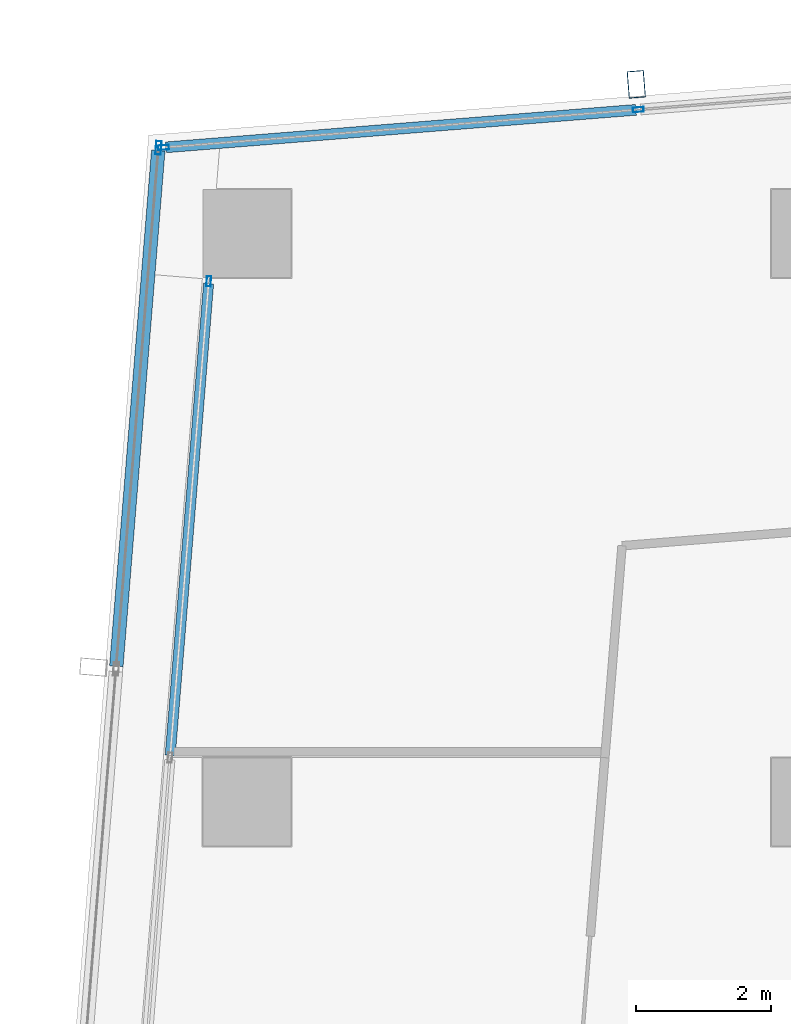
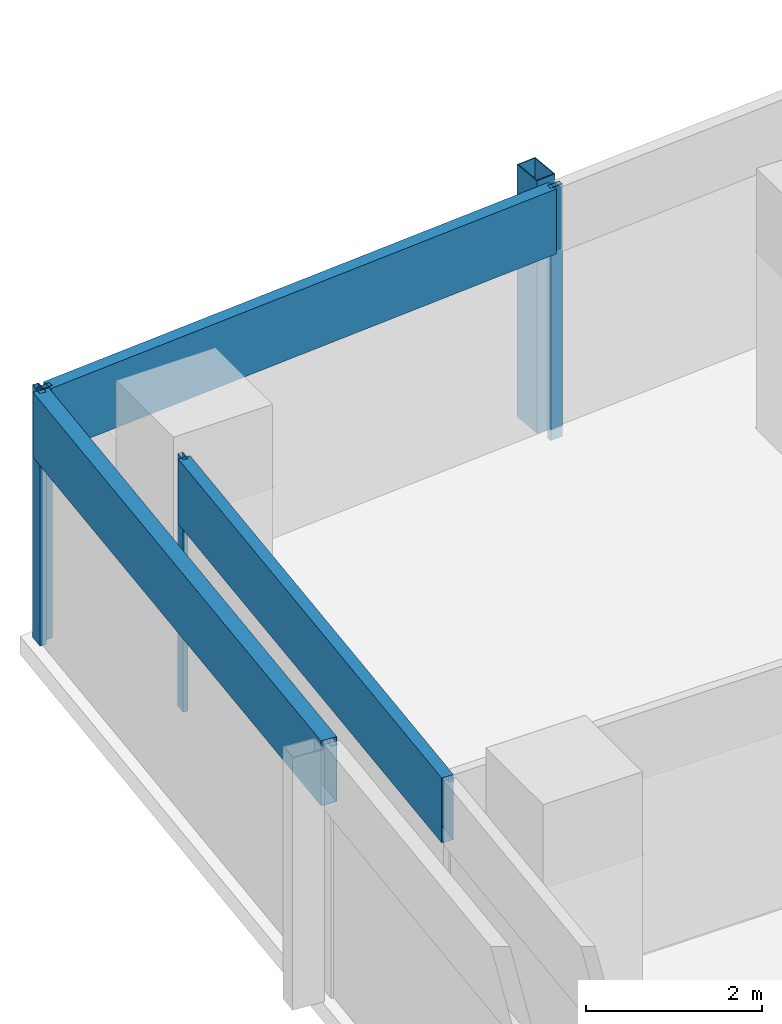
# One storey, part 12 of 26: 8 members, 3 elements without a shape of their own.
"""IFC4 building model written with IfcOpenShell, lengths in metres."""

from ifc_helpers import new_model, si_unit, direction, frame, origin, origin_2d, place, context, subcontext, project, spatial, hollow_rectangle, extrude, material, material_profile, profile_set, type_object, element, aggregate, save


model = new_model("IFC4")

# Units and contexts
model_context = context("Model", 3, precision=1e-05, world=origin(), true_north=direction((0.0, 1.0)))
body_context = subcontext(model_context, "Body", "Model", "MODEL_VIEW")
ifc_project = project(units=[si_unit("LENGTHUNIT", "METRE"), si_unit("AREAUNIT", "SQUARE_METRE"), si_unit("VOLUMEUNIT", "CUBIC_METRE"), si_unit("PLANEANGLEUNIT", "RADIAN"), si_unit("MASSUNIT", "GRAM", prefix="KILO")], contexts=[model_context])

# Site, building, storey
site_placement = place(None, origin())
site = spatial("IfcSite", under=ifc_project, at=site_placement, CompositionType="ELEMENT")
building_placement = place(site_placement, origin())
building = spatial("IfcBuilding", under=site, at=building_placement, Name="Rekha Terrace Tower", CompositionType="ELEMENT")
storey_placement = place(building_placement, frame((0.0, 0.0, 283.85009765625)))
storey = spatial("IfcBuildingStorey", under=building, at=storey_placement, Name="L72", CompositionType="ELEMENT", Elevation=283.85009765625)

# Curtain wall, member
ifc_material_1 = material(Name="Aluminium framing", Category="aluminium")
curtain_wall_type_1 = type_object("IfcCurtainWallType", Name="CW3 north unitised glazing", PredefinedType="USERDEFINED", material=ifc_material_1)
curtain_wall_1_placement = place(storey_placement, origin())
curtain_wall_1 = element("IfcCurtainWall", 1, at=curtain_wall_1_placement, inside=storey, type_object=curtain_wall_type_1, Name="CW3 unitised curtain wall", ObjectType="UNITISED CURTAIN WALL", PredefinedType="USERDEFINED")
ifc_material_2 = material(Name="Steel S355 with fluorocarbon finish", Category="steel")
ifc_material_profile_1 = material_profile(ifc_material_2, hollow_rectangle(XDim=0.25, YDim=0.39990234375, WallThickness=0.012451171875, at=origin_2d()), Name="RHS400x250x12.5")
ifc_profile_set_1 = profile_set([ifc_material_profile_1], Name="Steel S355 with fluorocarbon finish")
member_type_1 = type_object("IfcMemberType", Name="BL1 facade blade RHS 400 x 250", PredefinedType="USERDEFINED", material=ifc_profile_set_1)
member_1_placement = place(storey_placement, frame((14.1513671875, 52.599853515625, 0.0), z_axis=(0.0, 0.0, 1.0), x_axis=(-0.996836012392, -0.079485623849, 0.0)))
member_1 = element("IfcMember", 2, at=member_1_placement, type_object=member_type_1, Name="Facade blade", ObjectType="FACADE BLADE", PredefinedType="USERDEFINED", context=body_context, shape_type="SweptSolid", body=[
    extrude(hollow_rectangle(XDim=0.25, YDim=0.39990234375, WallThickness=0.012451171875, at=origin_2d()), origin(), (0.0, 0.0, 1.0), 3.5),
])

# Curtain wall, members
curtain_wall_type_2 = type_object("IfcCurtainWallType", Name="CW1 double skin inner glazing", PredefinedType="USERDEFINED", material=ifc_material_1)
curtain_wall_2_placement = place(storey_placement, origin())
curtain_wall_2 = element("IfcCurtainWall", 3, at=curtain_wall_2_placement, inside=storey, type_object=curtain_wall_type_2, Name="CW1 double skin inner glazing", ObjectType="DOUBLE SKIN INNER GLAZING", PredefinedType="USERDEFINED")
ifc_material_3 = material(Name="Aluminium mullion section", Category="aluminium")
ifc_material_profile_2 = material_profile(ifc_material_3, hollow_rectangle(XDim=0.06494140625, YDim=0.14990234375, WallThickness=0.00390625, at=origin_2d()), Name="AL RHS 65x150")
ifc_profile_set_2 = profile_set([ifc_material_profile_2], Name="Aluminium mullion section")
member_type_2 = type_object("IfcMemberType", Name="CW1 mullion RHS 65 x 150", PredefinedType="MULLION", material=ifc_profile_set_2)
member_2_placement = place(storey_placement, frame((7.837890625, 49.690185546875, 0.0), z_axis=(0.0, 0.0, 1.0), x_axis=(0.996708580524, -0.081067906781, 0.0)))
member_2 = element("IfcMember", 4, at=member_2_placement, type_object=member_type_2, Name="CW1 mullion 1", PredefinedType="MULLION", context=body_context, shape_type="SweptSolid", body=[
    extrude(hollow_rectangle(XDim=0.06494140625, YDim=0.14990234375, WallThickness=0.00390625, at=origin_2d()), origin(), (0.0, 0.0, 1.0), 3.5),
])
ifc_material_4 = material(Name="Insulated aluminium spandrel box", Category="aluminium")
ifc_material_profile_3 = material_profile(ifc_material_4, hollow_rectangle(XDim=0.14990234375, YDim=0.89990234375, WallThickness=0.0029296875, at=origin_2d()), Name="AL SPANDREL BOX 150x900")
ifc_profile_set_3 = profile_set([ifc_material_profile_3], Name="Insulated aluminium spandrel box")
member_type_3 = type_object("IfcMemberType", Name="CW1 spandrel transom 150 x 900", PredefinedType="USERDEFINED", material=ifc_profile_set_3)
member_3_placement = place(storey_placement, frame((7.835205078125, 49.65771484375, 3.0498046875), z_axis=(-0.081074618383, -0.996708034609, 0.0), x_axis=(0.996708034609, -0.081074618383, 0.0)))
member_3 = element("IfcMember", 5, at=member_3_placement, type_object=member_type_3, Name="CW1 spandrel transom 1", ObjectType="TRANSOM", PredefinedType="USERDEFINED", context=body_context, shape_type="SweptSolid", body=[
    extrude(hollow_rectangle(XDim=0.14990234375, YDim=0.89990234375, WallThickness=0.0029296875, at=origin_2d()), origin(), (0.0, 0.0, 1.0), 6.9921875),
])
aggregate(curtain_wall_2, [member_2, member_3])

curtain_wall_type_3 = type_object("IfcCurtainWallType", Name="CW2 double skin outer glazing", PredefinedType="USERDEFINED", material=ifc_material_1)
curtain_wall_3_placement = place(storey_placement, origin())
curtain_wall_3 = element("IfcCurtainWall", 6, at=curtain_wall_3_placement, inside=storey, type_object=curtain_wall_type_3, Name="CW2 double skin outer glazing", ObjectType="DOUBLE SKIN OUTER GLAZING", PredefinedType="USERDEFINED")
ifc_material_profile_4 = material_profile(ifc_material_3, hollow_rectangle(XDim=0.080078125, YDim=0.199951171875, WallThickness=0.00390625, at=origin_2d()), Name="AL RHS 80x200")
ifc_profile_set_4 = profile_set([ifc_material_profile_4], Name="Aluminium mullion section")
member_type_4 = type_object("IfcMemberType", Name="CW2 mullion RHS 80 x 200", PredefinedType="MULLION", material=ifc_profile_set_4)
member_4_placement = place(storey_placement, frame((7.09521484375, 51.661376953125, 0.0), z_axis=(0.0, 0.0, 1.0), x_axis=(0.996708580521, -0.081067906816, 0.0)))
member_4 = element("IfcMember", 7, at=member_4_placement, type_object=member_type_4, Name="CW2 mullion 1", PredefinedType="MULLION", context=body_context, shape_type="SweptSolid", body=[
    extrude(hollow_rectangle(XDim=0.080078125, YDim=0.199951171875, WallThickness=0.00390625, at=origin_2d()), origin(), (0.0, 0.0, 1.0), 3.5),
])
ifc_material_profile_5 = material_profile(ifc_material_4, hollow_rectangle(XDim=0.199951171875, YDim=0.89990234375, WallThickness=0.0029296875, at=origin_2d()), Name="AL SPANDREL BOX 200x900")
ifc_profile_set_5 = profile_set([ifc_material_profile_5], Name="Insulated aluminium spandrel box")
member_type_5 = type_object("IfcMemberType", Name="CW2 spandrel transom 200 x 900", PredefinedType="USERDEFINED", material=ifc_profile_set_5)
member_5_placement = place(storey_placement, frame((7.092041015625, 51.62158203125, 3.0498046875), z_axis=(-0.081093832935, -0.996706471465, 0.0), x_axis=(0.996706471465, -0.081093832935, 0.0)))
member_5 = element("IfcMember", 8, at=member_5_placement, type_object=member_type_5, Name="CW2 spandrel transom 1", ObjectType="TRANSOM", PredefinedType="USERDEFINED", context=body_context, shape_type="SweptSolid", body=[
    extrude(hollow_rectangle(XDim=0.199951171875, YDim=0.89990234375, WallThickness=0.0029296875, at=origin_2d()), origin(), (0.0, 0.0, 1.0), 7.640869140625),
])
aggregate(curtain_wall_3, [member_4, member_5])

# Member
ifc_material_profile_6 = material_profile(ifc_material_3, hollow_rectangle(XDim=0.070068359375, YDim=0.159912109375, WallThickness=0.00390625, at=origin_2d()), Name="AL RHS 70x160")
ifc_profile_set_6 = profile_set([ifc_material_profile_6], Name="Aluminium mullion section")
member_type_6 = type_object("IfcMemberType", Name="CW3 mullion RHS 70 x 160", PredefinedType="MULLION", material=ifc_profile_set_6)
member_6_placement = place(storey_placement, frame((14.18115234375, 52.22607421875, 0.0), z_axis=(0.0, 0.0, 1.0), x_axis=(0.07948505154, -0.996836058026, 0.0)))
member_6 = element("IfcMember", 9, at=member_6_placement, type_object=member_type_6, Name="CW3 mullion 3", PredefinedType="MULLION", context=body_context, shape_type="SweptSolid", body=[
    extrude(hollow_rectangle(XDim=0.070068359375, YDim=0.159912109375, WallThickness=0.00390625, at=origin_2d()), origin(), (0.0, 0.0, 1.0), 3.5),
])

member_7_placement = place(storey_placement, frame((7.17041015625, 51.6669921875, 0.0), z_axis=(0.0, 0.0, 1.0), x_axis=(0.07948505154, -0.996836058026, 0.0)))
member_7 = element("IfcMember", 10, at=member_7_placement, type_object=member_type_6, Name="CW3 mullion 4", PredefinedType="MULLION", context=body_context, shape_type="SweptSolid", body=[
    extrude(hollow_rectangle(XDim=0.070068359375, YDim=0.159912109375, WallThickness=0.00390625, at=origin_2d()), origin(), (0.0, 0.0, 1.0), 3.5),
])

ifc_material_profile_7 = material_profile(ifc_material_4, hollow_rectangle(XDim=0.159912109375, YDim=0.89990234375, WallThickness=0.0029296875, at=origin_2d()), Name="AL SPANDREL BOX 160x900")
ifc_profile_set_7 = profile_set([ifc_material_profile_7], Name="Insulated aluminium spandrel box")
member_type_7 = type_object("IfcMemberType", Name="CW3 spandrel transom 160 x 900", PredefinedType="USERDEFINED", material=ifc_profile_set_7)
member_8_placement = place(storey_placement, frame((14.146240234375, 52.22314453125, 3.0498046875), z_axis=(-0.996835870382, -0.079487404789, 0.0), x_axis=(0.079487404789, -0.996835870382, 0.0)))
member_8 = element("IfcMember", 11, at=member_8_placement, type_object=member_type_7, Name="CW3 spandrel transom 3", ObjectType="TRANSOM", PredefinedType="USERDEFINED", context=body_context, shape_type="SweptSolid", body=[
    extrude(hollow_rectangle(XDim=0.159912109375, YDim=0.89990234375, WallThickness=0.0029296875, at=origin_2d()), origin(), (0.0, 0.0, 1.0), 6.962890625),
])

aggregate(curtain_wall_1, [member_6, member_7, member_8, member_1])

save(model, "model.ifc")
